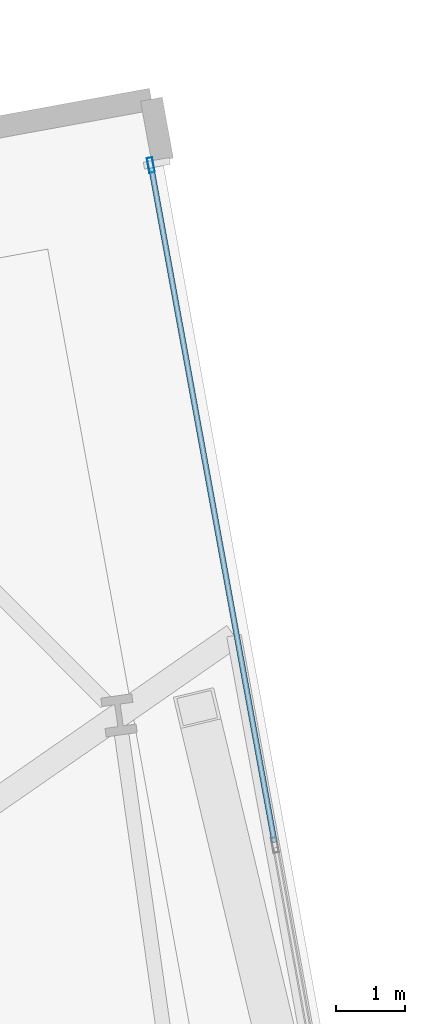
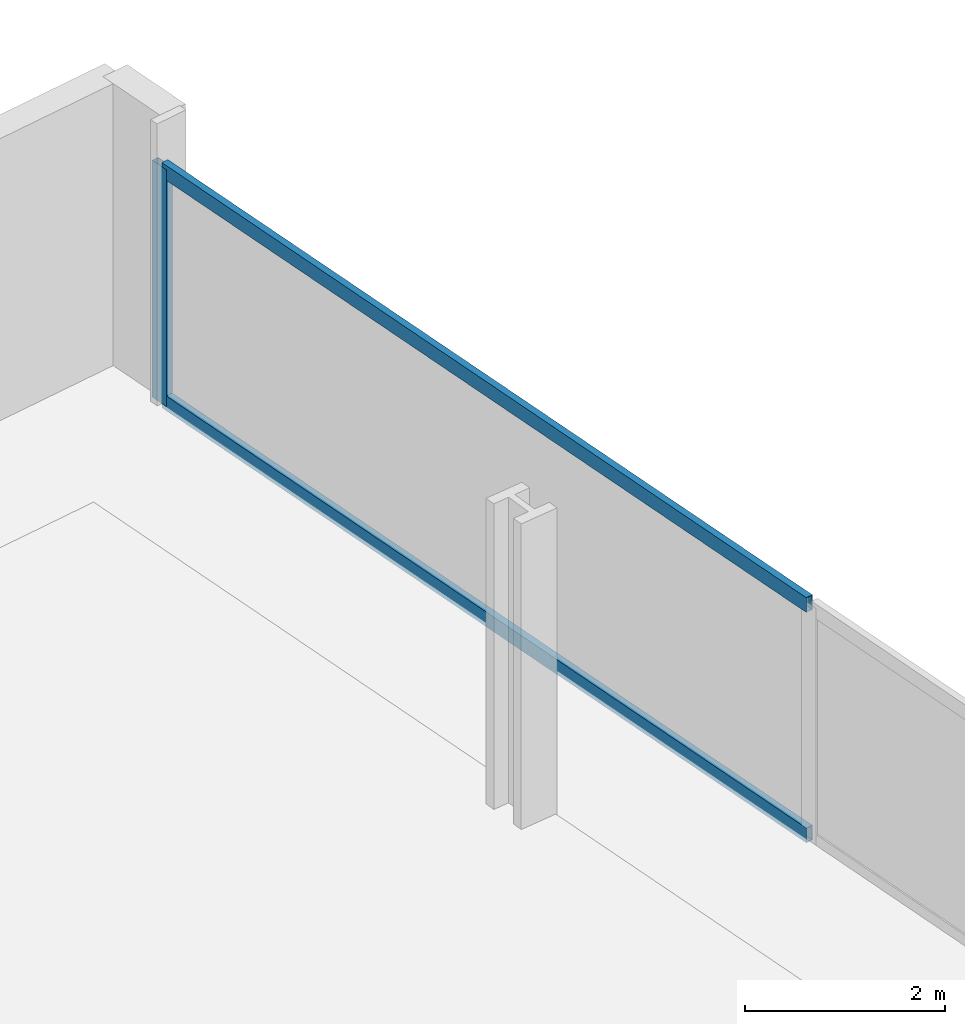
# One storey, part 24 of 34: 3 members, 1 element without a shape of its own.
"""IFC4 building model written with IfcOpenShell, lengths in metres."""

from ifc_helpers import new_model, si_unit, direction, frame, origin, origin_2d, place, context, subcontext, project, spatial, hollow_rectangle, extrude, material, material_profile, profile_set, type_object, element, aggregate, save


model = new_model("IFC4")

# Units and contexts
model_context = context("Model", 3, precision=1e-05, world=origin(), true_north=direction((0.0, 1.0)))
body_context = subcontext(model_context, "Body", "Model", "MODEL_VIEW")
ifc_project = project(units=[si_unit("LENGTHUNIT", "METRE"), si_unit("AREAUNIT", "SQUARE_METRE"), si_unit("VOLUMEUNIT", "CUBIC_METRE"), si_unit("PLANEANGLEUNIT", "RADIAN"), si_unit("MASSUNIT", "GRAM", prefix="KILO")], contexts=[model_context])

# Site, building, storey
site_placement = place(None, origin())
site = spatial("IfcSite", under=ifc_project, at=site_placement, CompositionType="ELEMENT")
building_placement = place(site_placement, origin())
building = spatial("IfcBuilding", under=site, at=building_placement, Name="Haldenkirk Collegiate Tower", CompositionType="ELEMENT")
storey_placement = place(building_placement, frame((0.0, 0.0, 62.699951171875)))
storey = spatial("IfcBuildingStorey", under=building, at=storey_placement, Name="L14", CompositionType="ELEMENT", Elevation=62.699951171875)

# Curtain wall, members
ifc_material = material(Name="Anodised architectural bronze aluminium", Category="aluminium")
curtain_wall_type = type_object("IfcCurtainWallType", Name="CW-SYS1-CONVEX-LOW", PredefinedType="USERDEFINED", material=ifc_material)
curtain_wall_placement = place(storey_placement, origin())
curtain_wall = element("IfcCurtainWall", 1, at=curtain_wall_placement, inside=storey, type_object=curtain_wall_type, Name="L14 Lower tower convex bronze-framed unitised curtain wall", ObjectType="UNITISED CURTAIN WALL", PredefinedType="USERDEFINED")
ifc_material_profile_1 = material_profile(ifc_material, hollow_rectangle(XDim=0.080078125, YDim=0.219970703125, WallThickness=0.0048828125, at=origin_2d()), Name="CW-MUL-1A")
ifc_profile_set_1 = profile_set([ifc_material_profile_1], Name="Anodised architectural bronze aluminium")
member_type_1 = type_object("IfcMemberType", Name="CW-MUL-1A", PredefinedType="MULLION", material=ifc_profile_set_1)
member_1_placement = place(storey_placement, frame((58.3544921875, 50.931884765625, 0.0), z_axis=(0.0, 0.0, 1.0), x_axis=(0.983728214276, 0.179663019113, 0.0)))
member_1 = element("IfcMember", 2, at=member_1_placement, type_object=member_type_1, Name="CW-1A mullion 1", PredefinedType="MULLION", context=body_context, shape_type="SweptSolid", body=[
    extrude(hollow_rectangle(XDim=0.080078125, YDim=0.219970703125, WallThickness=0.0048828125, at=origin_2d()), origin(), (0.0, 0.0, 1.0), 2.89111328125),
])
ifc_material_profile_2 = material_profile(ifc_material, hollow_rectangle(XDim=0.080078125, YDim=0.179931640625, WallThickness=0.0048828125, at=origin_2d()), Name="CW-TRN-1A")
ifc_profile_set_2 = profile_set([ifc_material_profile_2], Name="Anodised architectural bronze aluminium")
member_type_2 = type_object("IfcMemberType", Name="CW-TRN-1A", PredefinedType="USERDEFINED", material=ifc_profile_set_2)
member_2_placement = place(storey_placement, frame((58.361572265625, 50.892578125, 0.0400390625), z_axis=(0.179656327577, -0.98372943636, 0.0), x_axis=(0.98372943636, 0.179656327577, 0.0)))
member_2 = element("IfcMember", 3, at=member_2_placement, type_object=member_type_2, Name="CW-1A transom 1.1", ObjectType="TRANSOM", PredefinedType="USERDEFINED", context=body_context, shape_type="SweptSolid", body=[
    extrude(hollow_rectangle(XDim=0.080078125, YDim=0.179931640625, WallThickness=0.0048828125, at=origin_2d()), origin(), (0.0, 0.0, 1.0), 9.94873046875),
])
member_3_placement = place(storey_placement, frame((58.361572265625, 50.892578125, 2.85107421875), z_axis=(0.179656327577, -0.98372943636, 0.0), x_axis=(0.98372943636, 0.179656327577, 0.0)))
member_3 = element("IfcMember", 4, at=member_3_placement, type_object=member_type_2, Name="CW-1A transom 1.2", ObjectType="TRANSOM", PredefinedType="USERDEFINED", context=body_context, shape_type="SweptSolid", body=[
    extrude(hollow_rectangle(XDim=0.080078125, YDim=0.179931640625, WallThickness=0.0048828125, at=origin_2d()), origin(), (0.0, 0.0, 1.0), 9.94873046875),
])
aggregate(curtain_wall, [member_1, member_2, member_3])

save(model, "model.ifc")
